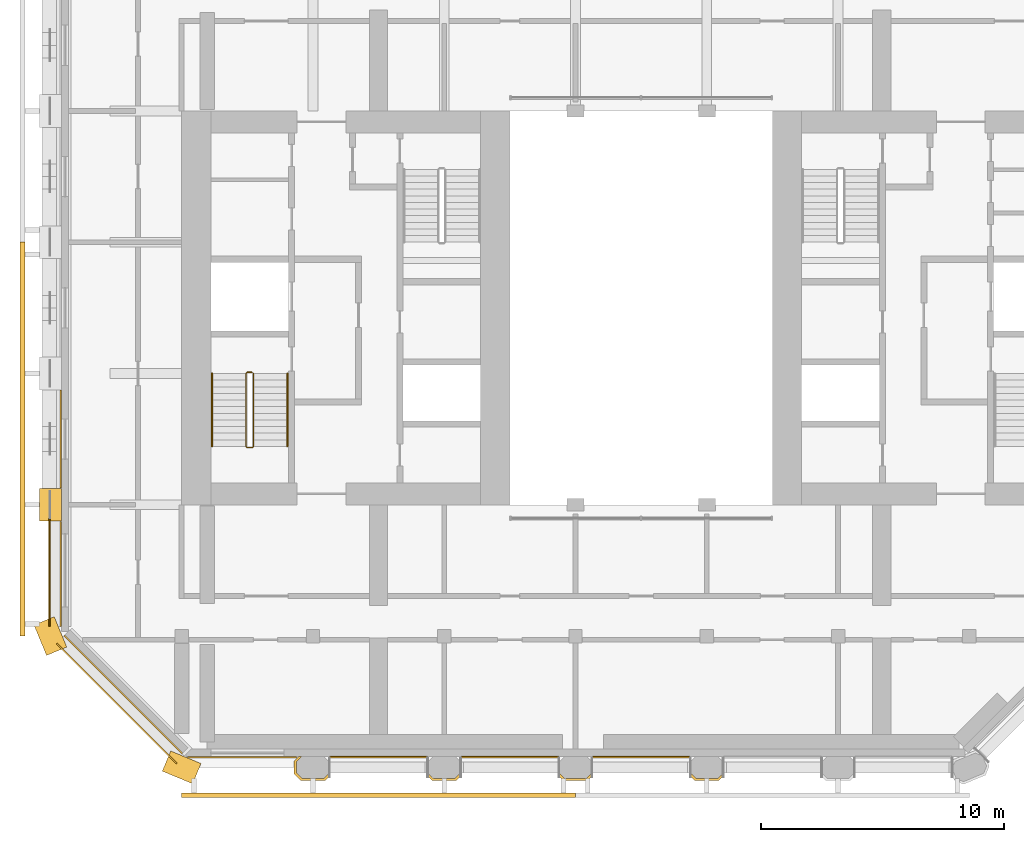
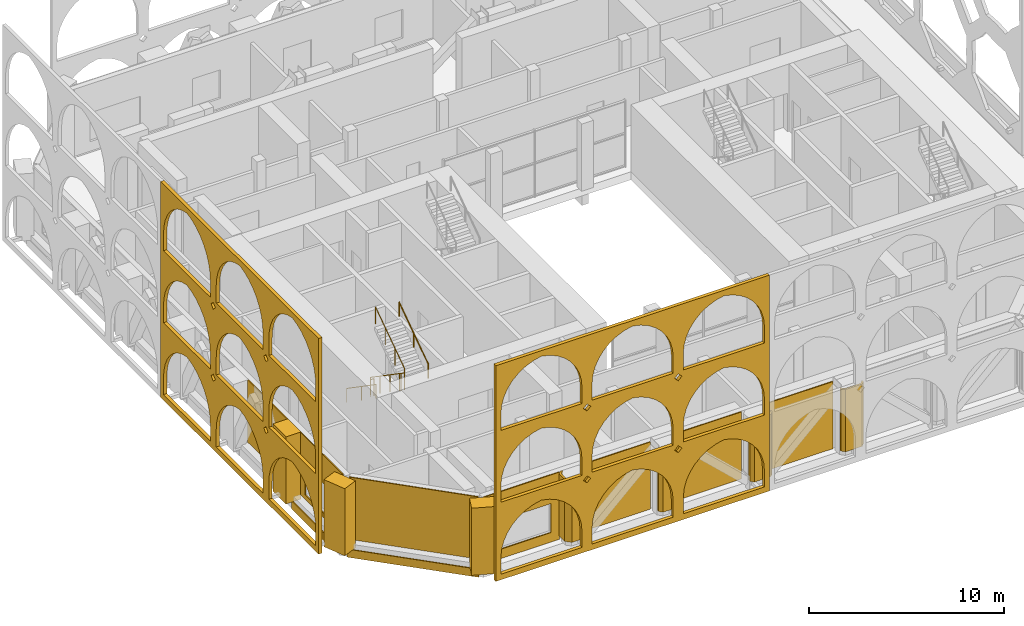
# One storey, part 13 of 16: 18 coverings, 3 railings.
"""IFC4 building model written with IfcOpenShell, lengths in metres."""

from ifc_helpers import new_model, si_unit, direction, frame, frame_2d, origin, origin_2d, place, context, subcontext, project, spatial, polyline, rectangle, circle, outline, extrude, material, layer, layer_set, type_object, element, save


model = new_model("IFC4")

# Units and contexts
model_context = context("Model", 3, precision=1e-05, world=origin(), true_north=direction((0.0, 1.0)))
body_context = subcontext(model_context, "Body", "Model", "MODEL_VIEW")
ifc_project = project(units=[si_unit("LENGTHUNIT", "METRE"), si_unit("AREAUNIT", "SQUARE_METRE"), si_unit("VOLUMEUNIT", "CUBIC_METRE"), si_unit("PLANEANGLEUNIT", "RADIAN"), si_unit("MASSUNIT", "GRAM", prefix="KILO")], contexts=[model_context])

# Site, building, storey
site_placement = place(None, origin())
site = spatial("IfcSite", under=ifc_project, at=site_placement, CompositionType="ELEMENT")
building_placement = place(site_placement, origin())
building = spatial("IfcBuilding", under=site, at=building_placement, Name="Tabaq Tower and Sports Hall", CompositionType="ELEMENT")
storey_placement = place(building_placement, frame((0.0, 0.0, 308.199951171875)))
storey = spatial("IfcBuildingStorey", under=building, at=storey_placement, Name="L77", CompositionType="ELEMENT", Elevation=308.199951171875)

# Coverings
ifc_material_1 = material(Name="Precast concrete C60/75", Category="concrete")
ifc_layer_1 = layer(ifc_material_1, 0.10009765625)
ifc_layer_set_1 = layer_set([ifc_layer_1], Name="Column cladding 100")
covering_type_1 = type_object("IfcCoveringType", Name="Column cladding 100", PredefinedType="CLADDING", material=ifc_layer_set_1)
covering_1_placement = place(storey_placement, frame((0.0, 0.0, 0.300048828125)))
element("IfcCovering", 1, at=covering_1_placement, inside=storey, type_object=covering_type_1, Name="Column cladding L77 PC-3B-CR", PredefinedType="CLADDING", context=body_context, shape_type="SweptSolid", body=[
    extrude(outline(polyline([(10.025390625, 5.666259765625), (10.208740234375, 5.849609375), (10.349365234375, 5.849609375), (10.124755859375, 5.625244140625), (10.124755859375, 5.1748046875), (10.349853515625, 4.94970703125), (11.250244140625, 4.94970703125), (11.459716796875, 5.1591796875), (11.459716796875, 5.018798828125), (11.291259765625, 4.850341796875), (10.30859375, 4.850341796875), (10.025390625, 5.1337890625), (10.025390625, 5.666259765625)])), origin(), (0.0, 0.0, 1.0), 3.89990234375),
])
covering_2_placement = place(storey_placement, frame((0.0, 0.0, 0.300048828125)))
element("IfcCovering", 2, at=covering_2_placement, inside=storey, type_object=covering_type_1, Name="Column cladding L77 PC-4B-CR", PredefinedType="CLADDING", context=body_context, shape_type="SweptSolid", body=[
    extrude(outline(polyline([(16.69140625, 4.850341796875), (15.708740234375, 4.850341796875), (15.540283203125, 5.018798828125), (15.540283203125, 5.1591796875), (15.749755859375, 4.94970703125), (16.650146484375, 4.94970703125), (16.859619140625, 5.1591796875), (16.859619140625, 5.018798828125), (16.69140625, 4.850341796875)])), origin(), (0.0, 0.0, 1.0), 3.89990234375),
])
covering_3_placement = place(storey_placement, frame((0.0, 0.0, 0.300048828125)))
element("IfcCovering", 3, at=covering_3_placement, inside=storey, type_object=covering_type_1, Name="Column cladding L77 PC-5B-CR", PredefinedType="CLADDING", context=body_context, shape_type="SweptSolid", body=[
    extrude(outline(polyline([(22.09130859375, 4.850341796875), (21.108642578125, 4.850341796875), (20.940185546875, 5.018798828125), (20.940185546875, 5.1591796875), (21.14990234375, 4.94970703125), (22.050048828125, 4.94970703125), (22.259765625, 5.1591796875), (22.259765625, 5.018798828125), (22.09130859375, 4.850341796875)])), origin(), (0.0, 0.0, 1.0), 3.89990234375),
])
covering_4_placement = place(storey_placement, frame((0.0, 0.0, 0.300048828125)))
element("IfcCovering", 4, at=covering_4_placement, inside=storey, type_object=covering_type_1, Name="Column cladding L77 PC-6B-CR", PredefinedType="CLADDING", context=body_context, shape_type="SweptSolid", body=[
    extrude(outline(polyline([(27.4912109375, 4.850341796875), (26.5087890625, 4.850341796875), (26.34033203125, 5.018798828125), (26.34033203125, 5.1591796875), (26.5498046875, 4.94970703125), (27.4501953125, 4.94970703125), (27.65966796875, 5.1591796875), (27.65966796875, 5.018798828125), (27.4912109375, 4.850341796875)])), origin(), (0.0, 0.0, 1.0), 3.89990234375),
])
ifc_material_2 = material(Name="Precast concrete C60/75", Category="concrete")
ifc_layer_2 = layer(ifc_material_2, 0.06005859375)
ifc_layer_set_2 = layer_set([ifc_layer_2], Name="Edge beam cladding 60")
covering_type_2 = type_object("IfcCoveringType", Name="Edge beam cladding 60", PredefinedType="CLADDING", material=ifc_layer_set_2)
covering_5_placement = place(storey_placement, frame((0.26318359375, 10.494384765625, -0.5), z_axis=(0.0, 0.0, 1.0), x_axis=(0.707106781187, -0.707106781187, 0.0)))
element("IfcCovering", 5, at=covering_5_placement, inside=storey, type_object=covering_type_2, Name="Edge beam cladding L77 5", PredefinedType="CLADDING", context=body_context, shape_type="SweptSolid", body=[
    extrude(rectangle(XDim=6.984375, YDim=0.06005859375, at=frame_2d((3.4921875, 0.0))), origin(), (0.0, 0.0, 1.0), 0.5),
])
covering_6_placement = place(storey_placement, frame((-0.030029296875, 15.639892578125, -0.5), z_axis=(0.0, 0.0, 1.0), x_axis=(0.0, -1.0, 0.0)))
element("IfcCovering", 6, at=covering_6_placement, inside=storey, type_object=covering_type_2, Name="Edge beam cladding L77 4 2", PredefinedType="CLADDING", context=body_context, shape_type="SweptSolid", body=[
    extrude(rectangle(XDim=4.437744140625, YDim=0.06005859375, at=frame_2d((2.21875, 0.0))), origin(), (0.0, 0.0, 1.0), 0.5),
])
ifc_material_3 = material(Name="White precast concrete C60/75", Category="concrete")
covering_type_3 = type_object("IfcCoveringType", Name="Pier cladding hung 1350x900", PredefinedType="CLADDING", material=ifc_material_3)
for number, where, z_axis, x_axis, name in (
    (7, (-0.25830078125, 11.423583984375, 0.0), (0.0, 0.0, 1.0), (0.382649923473, -0.923893411637, 0.0), "Hung pier cladding 0/2"),
    (8, (0.0, 16.875, 0.0), (0.0, 0.0, 1.0), (0.0, -1.0, 0.0), "Hung pier cladding 0/3"),
    (9, (4.7763671875, 5.658203125, 0.0), (0.0, 0.0, 1.0), (0.923893411637, -0.382649923473, 0.0), "Hung pier cladding 1/1"),
):
    element("IfcCovering", number, at=place(storey_placement, frame(where, z_axis=z_axis, x_axis=x_axis)), inside=storey, type_object=covering_type_3, Name=name, PredefinedType="CLADDING", context=body_context, shape_type="SweptSolid", body=[
        extrude(rectangle(XDim=1.35009765625, YDim=0.89990234375, at=frame_2d((0.675048828125, 0.0))), origin(), (0.0, 0.0, 1.0), 4.199951171875),
    ])

# Railings
ifc_material_4 = material(Name="Stainless steel", Category="steel")
railing_type_1 = type_object("IfcRailingType", Name="Stair guard", PredefinedType="GUARDRAIL", material=ifc_material_4)
railing_1_placement = place(storey_placement, frame((8.300048828125, 21.64990234375, 0.0)))
element("IfcRailing", 10, at=railing_1_placement, inside=storey, type_object=railing_type_1, Name="L77 ST1 stair guard 1", PredefinedType="GUARDRAIL", context=body_context, shape_type="SweptSolid", body=[
    extrude(circle(Radius=0.02392578125, at=origin_2d()), frame((0.0, 0.0, 1.076171875), z_axis=(-1.0, 0.0, 0.0), x_axis=(0.0, -1.0, 0.0)), (0.0, 0.0, 1.0), 0.199951171875),
    extrude(circle(Radius=0.02392578125, at=origin_2d()), frame((-0.199951171875, 0.0, 1.076171875), z_axis=(-0.249802250048, -0.248583702486, 0.935844527007), x_axis=(0.705375805398, -0.708833529934, 0.0)), (0.0, 0.0, 1.0), 0.200439453125),
    extrude(circle(Radius=0.02392578125, at=origin_2d()), frame((-0.25, -0.0498046875, 1.263671875), z_axis=(0.0, -0.824041924199, 0.566528822887), x_axis=(1.0, 0.0, 0.0)), (0.0, 0.0, 1.0), 3.640625),
    extrude(circle(Radius=0.02392578125, at=origin_2d()), frame((-0.25, -3.0498046875, 3.326171875), z_axis=(0.707106781187, -0.707106781187, 0.0), x_axis=(0.707106781187, 0.707106781187, 0.0)), (0.0, 0.0, 1.0), 0.07080078125),
    extrude(circle(Radius=0.02392578125, at=origin_2d()), frame((-0.199951171875, -3.099853515625, 3.326171875), z_axis=(1.0, 0.0, 0.0), x_axis=(0.0, 1.0, 0.0)), (0.0, 0.0, 1.0), 0.199951171875),
    extrude(circle(Radius=0.02392578125, at=origin_2d()), frame((0.0, -3.099853515625, 3.326171875), z_axis=(0.249726431254, 0.249726431254, 0.935560483917), x_axis=(-0.707106781187, 0.707106781187, 0.0)), (0.0, 0.0, 1.0), 0.200439453125),
    extrude(circle(Radius=0.02392578125, at=origin_2d()), frame((0.050048828125, -3.0498046875, 3.513671875), z_axis=(0.0, 0.824041924199, 0.566528822887), x_axis=(-1.0, 0.0, 0.0)), (0.0, 0.0, 1.0), 3.640625),
    extrude(circle(Radius=0.02099609375, at=origin_2d()), origin(), (0.0, 0.0, 1.0), 1.052001953125),
    extrude(circle(Radius=0.02099609375, at=origin_2d()), frame((-0.199951171875, 0.0, 0.0)), (0.0, 0.0, 1.0), 1.052001953125),
    extrude(circle(Radius=0.02099609375, at=origin_2d()), frame((-0.25, -0.0498046875, 0.1875)), (0.0, 0.0, 1.0), 1.052001953125),
    extrude(circle(Radius=0.02099609375, at=origin_2d()), frame((-0.25, -1.0498046875, 0.875)), (0.0, 0.0, 1.0), 1.052001953125),
    extrude(circle(Radius=0.02099609375, at=origin_2d()), frame((-0.25, -2.0498046875, 1.5625)), (0.0, 0.0, 1.0), 1.052001953125),
    extrude(circle(Radius=0.02099609375, at=origin_2d()), frame((-0.25, -3.0498046875, 2.25)), (0.0, 0.0, 1.0), 1.052001953125),
    extrude(circle(Radius=0.02099609375, at=origin_2d()), frame((-0.199951171875, -3.099853515625, 2.25)), (0.0, 0.0, 1.0), 1.052001953125),
    extrude(circle(Radius=0.02099609375, at=origin_2d()), frame((0.0, -3.099853515625, 2.25)), (0.0, 0.0, 1.0), 1.052001953125),
    extrude(circle(Radius=0.02099609375, at=origin_2d()), frame((0.050048828125, -3.0498046875, 2.4375)), (0.0, 0.0, 1.0), 1.052001953125),
    extrude(circle(Radius=0.02099609375, at=origin_2d()), frame((0.050048828125, -2.0498046875, 3.125)), (0.0, 0.0, 1.0), 1.052001953125),
    extrude(circle(Radius=0.02099609375, at=origin_2d()), frame((0.050048828125, -1.0498046875, 3.8125)), (0.0, 0.0, 1.0), 1.052001953125),
    extrude(circle(Radius=0.02099609375, at=origin_2d()), frame((0.050048828125, -0.0498046875, 4.5)), (0.0, 0.0, 1.0), 1.052001953125),
])
ifc_material_5 = material(Name="Stainless steel", Category="steel")
railing_type_2 = type_object("IfcRailingType", Name="Stair handrail", PredefinedType="HANDRAIL", material=ifc_material_5)
railing_2_placement = place(storey_placement, frame((6.64990234375, 21.60009765625, 0.1875)))
element("IfcRailing", 11, at=railing_2_placement, inside=storey, type_object=railing_type_2, Name="L77 ST1 stair handrail 1", PredefinedType="HANDRAIL", context=body_context, shape_type="SweptSolid", body=[
    extrude(circle(Radius=0.02392578125, at=origin_2d()), frame((0.0, 0.0, 0.8759765625), z_axis=(0.0, -0.824041924199, 0.566528822887), x_axis=(1.0, 0.0, 0.0)), (0.0, 0.0, 1.0), 3.640625),
    extrude(circle(Radius=0.02099609375, at=origin_2d()), origin(), (0.0, 0.0, 1.0), 0.851806640625),
    extrude(circle(Radius=0.02099609375, at=origin_2d()), frame((0.0, -1.5, 1.03125)), (0.0, 0.0, 1.0), 0.851806640625),
    extrude(circle(Radius=0.02099609375, at=origin_2d()), frame((0.0, -3.0, 2.0625)), (0.0, 0.0, 1.0), 0.851806640625),
])
railing_3_placement = place(storey_placement, frame((9.75, 18.60009765625, 2.4375)))
element("IfcRailing", 12, at=railing_3_placement, inside=storey, type_object=railing_type_2, Name="L77 ST1 stair handrail 2", PredefinedType="HANDRAIL", context=body_context, shape_type="SweptSolid", body=[
    extrude(circle(Radius=0.02392578125, at=origin_2d()), frame((0.0, 0.0, 0.8759765625), z_axis=(0.0, 0.824041924199, 0.566528822887), x_axis=(-1.0, 0.0, 0.0)), (0.0, 0.0, 1.0), 3.640625),
    extrude(circle(Radius=0.02099609375, at=origin_2d()), origin(), (0.0, 0.0, 1.0), 0.851806640625),
    extrude(circle(Radius=0.02099609375, at=origin_2d()), frame((0.0, 1.5, 1.03125)), (0.0, 0.0, 1.0), 0.851806640625),
    extrude(circle(Radius=0.02099609375, at=origin_2d()), frame((0.0, 3.0, 2.0625)), (0.0, 0.0, 1.0), 0.851806640625),
])

# Coverings
ifc_material_6 = material(Name="White precast concrete C60/75 pierced screen", Category="concrete")
ifc_layer_3 = layer(ifc_material_6, 0.199951171875)
ifc_layer_set_3 = layer_set([ifc_layer_3], Name="TRACERY SCREEN 200 C60/75")
covering_type_4 = type_object("IfcCoveringType", Name="TRACERY SCREEN 200 C60/75", PredefinedType="CLADDING", material=ifc_layer_set_3)
covering_7_placement = place(storey_placement, frame((5.39990234375, 4.25, 0.0), z_axis=(0.0, 0.0, 1.0), x_axis=(1.0, 0.0, 0.0)))
element("IfcCovering", 13, at=covering_7_placement, inside=storey, type_object=covering_type_4, Name="Tracery screen CR S L77-L79", PredefinedType="CLADDING", context=body_context, shape_type="SweptSolid", body=[
    extrude(outline(polyline([(0.0, 0.0), (16.2001953125, 0.0), (16.2001953125, 13.5), (0.0, 13.5), (0.0, 0.0)]), holes=[polyline([(0.300048828125, 0.35009765625), (5.10009765625, 0.35009765625), (5.10009765625, 1.39013671875), (5.055419921875, 1.885986328125), (4.92333984375, 2.3662109375), (4.7080078125, 2.815185546875), (4.416015625, 3.21875), (4.05712890625, 3.56396484375), (3.642333984375, 3.839599609375), (3.18505859375, 4.037109375), (2.699951171875, 4.150146484375), (2.21484375, 4.037109375), (1.7578125, 3.839599609375), (1.343017578125, 3.56396484375), (0.98388671875, 3.21875), (0.69189453125, 2.815185546875), (0.4765625, 2.3662109375), (0.344482421875, 1.885986328125), (0.300048828125, 1.39013671875), (0.300048828125, 0.35009765625)]), polyline([(5.699951171875, 0.35009765625), (10.5, 0.35009765625), (10.5, 1.39013671875), (10.45556640625, 1.885986328125), (10.323486328125, 2.3662109375), (10.10791015625, 2.815185546875), (9.816162109375, 3.21875), (9.45703125, 3.56396484375), (9.042236328125, 3.839599609375), (8.5849609375, 4.037109375), (8.10009765625, 4.150146484375), (7.614990234375, 4.037109375), (7.15771484375, 3.839599609375), (6.742919921875, 3.56396484375), (6.384033203125, 3.21875), (6.092041015625, 2.815185546875), (5.87646484375, 2.3662109375), (5.744384765625, 1.885986328125), (5.699951171875, 1.39013671875), (5.699951171875, 0.35009765625)]), polyline([(11.10009765625, 0.35009765625), (15.89990234375, 0.35009765625), (15.89990234375, 1.39013671875), (15.85546875, 1.885986328125), (15.723388671875, 2.3662109375), (15.508056640625, 2.815185546875), (15.216064453125, 3.21875), (14.85693359375, 3.56396484375), (14.442138671875, 3.839599609375), (13.985107421875, 4.037109375), (13.5, 4.150146484375), (13.014892578125, 4.037109375), (12.557861328125, 3.839599609375), (12.14306640625, 3.56396484375), (11.783935546875, 3.21875), (11.491943359375, 2.815185546875), (11.276611328125, 2.3662109375), (11.14453125, 1.885986328125), (11.10009765625, 1.39013671875), (11.10009765625, 0.35009765625)]), polyline([(0.300048828125, 4.85009765625), (5.10009765625, 4.85009765625), (5.10009765625, 5.89013671875), (5.055419921875, 6.385986328125), (4.92333984375, 6.8662109375), (4.7080078125, 7.315185546875), (4.416015625, 7.71875), (4.05712890625, 8.06396484375), (3.642333984375, 8.339599609375), (3.18505859375, 8.537109375), (2.699951171875, 8.650146484375), (2.21484375, 8.537109375), (1.7578125, 8.339599609375), (1.343017578125, 8.06396484375), (0.98388671875, 7.71875), (0.69189453125, 7.315185546875), (0.4765625, 6.8662109375), (0.344482421875, 6.385986328125), (0.300048828125, 5.89013671875), (0.300048828125, 4.85009765625)]), polyline([(5.699951171875, 4.85009765625), (10.5, 4.85009765625), (10.5, 5.89013671875), (10.45556640625, 6.385986328125), (10.323486328125, 6.8662109375), (10.10791015625, 7.315185546875), (9.816162109375, 7.71875), (9.45703125, 8.06396484375), (9.042236328125, 8.339599609375), (8.5849609375, 8.537109375), (8.10009765625, 8.650146484375), (7.614990234375, 8.537109375), (7.15771484375, 8.339599609375), (6.742919921875, 8.06396484375), (6.384033203125, 7.71875), (6.092041015625, 7.315185546875), (5.87646484375, 6.8662109375), (5.744384765625, 6.385986328125), (5.699951171875, 5.89013671875), (5.699951171875, 4.85009765625)]), polyline([(11.10009765625, 4.85009765625), (15.89990234375, 4.85009765625), (15.89990234375, 5.89013671875), (15.85546875, 6.385986328125), (15.723388671875, 6.8662109375), (15.508056640625, 7.315185546875), (15.216064453125, 7.71875), (14.85693359375, 8.06396484375), (14.442138671875, 8.339599609375), (13.985107421875, 8.537109375), (13.5, 8.650146484375), (13.014892578125, 8.537109375), (12.557861328125, 8.339599609375), (12.14306640625, 8.06396484375), (11.783935546875, 7.71875), (11.491943359375, 7.315185546875), (11.276611328125, 6.8662109375), (11.14453125, 6.385986328125), (11.10009765625, 5.89013671875), (11.10009765625, 4.85009765625)]), polyline([(0.300048828125, 9.35009765625), (5.10009765625, 9.35009765625), (5.10009765625, 10.39013671875), (5.055419921875, 10.885986328125), (4.92333984375, 11.3662109375), (4.7080078125, 11.815185546875), (4.416015625, 12.21875), (4.05712890625, 12.56396484375), (3.642333984375, 12.839599609375), (3.18505859375, 13.037109375), (2.699951171875, 13.150146484375), (2.21484375, 13.037109375), (1.7578125, 12.839599609375), (1.343017578125, 12.56396484375), (0.98388671875, 12.21875), (0.69189453125, 11.815185546875), (0.4765625, 11.3662109375), (0.344482421875, 10.885986328125), (0.300048828125, 10.39013671875), (0.300048828125, 9.35009765625)]), polyline([(5.699951171875, 9.35009765625), (10.5, 9.35009765625), (10.5, 10.39013671875), (10.45556640625, 10.885986328125), (10.323486328125, 11.3662109375), (10.10791015625, 11.815185546875), (9.816162109375, 12.21875), (9.45703125, 12.56396484375), (9.042236328125, 12.839599609375), (8.5849609375, 13.037109375), (8.10009765625, 13.150146484375), (7.614990234375, 13.037109375), (7.15771484375, 12.839599609375), (6.742919921875, 12.56396484375), (6.384033203125, 12.21875), (6.092041015625, 11.815185546875), (5.87646484375, 11.3662109375), (5.744384765625, 10.885986328125), (5.699951171875, 10.39013671875), (5.699951171875, 9.35009765625)]), polyline([(11.10009765625, 9.35009765625), (15.89990234375, 9.35009765625), (15.89990234375, 10.39013671875), (15.85546875, 10.885986328125), (15.723388671875, 11.3662109375), (15.508056640625, 11.815185546875), (15.216064453125, 12.21875), (14.85693359375, 12.56396484375), (14.442138671875, 12.839599609375), (13.985107421875, 13.037109375), (13.5, 13.150146484375), (13.014892578125, 13.037109375), (12.557861328125, 12.839599609375), (12.14306640625, 12.56396484375), (11.783935546875, 12.21875), (11.491943359375, 11.815185546875), (11.276611328125, 11.3662109375), (11.14453125, 10.885986328125), (11.10009765625, 10.39013671875), (11.10009765625, 9.35009765625)]), polyline([(5.6201171875, 4.5), (5.39990234375, 4.719970703125), (5.179931640625, 4.5), (5.39990234375, 4.280029296875), (5.6201171875, 4.5)]), polyline([(11.02001953125, 4.5), (10.800048828125, 4.719970703125), (10.580078125, 4.5), (10.800048828125, 4.280029296875), (11.02001953125, 4.5)]), polyline([(5.6201171875, 9.0), (5.39990234375, 9.219970703125), (5.179931640625, 9.0), (5.39990234375, 8.780029296875), (5.6201171875, 9.0)]), polyline([(11.02001953125, 9.0), (10.800048828125, 9.219970703125), (10.580078125, 9.0), (10.800048828125, 8.780029296875), (11.02001953125, 9.0)])]), frame((0.0, 0.10009765625, 0.0), z_axis=(0.0, -1.0, 0.0), x_axis=(1.0, 0.0, 0.0)), (0.0, 0.0, 1.0), 0.199951171875),
])
covering_8_placement = place(storey_placement, frame((-1.14990234375, 27.0, 0.0), z_axis=(0.0, 0.0, 1.0), x_axis=(0.0, -1.0, 0.0)))
element("IfcCovering", 14, at=covering_8_placement, inside=storey, type_object=covering_type_4, Name="Tracery screen CR W L77-L79", PredefinedType="CLADDING", context=body_context, shape_type="SweptSolid", body=[
    extrude(outline(polyline([(0.0, 0.0), (16.199951171875, 0.0), (16.199951171875, 13.5), (0.0, 13.5), (0.0, 0.0)]), holes=[polyline([(0.300048828125, 0.35009765625), (5.10009765625, 0.35009765625), (5.10009765625, 1.39013671875), (5.055419921875, 1.885986328125), (4.92333984375, 2.3662109375), (4.7080078125, 2.815185546875), (4.416015625, 3.21875), (4.05712890625, 3.56396484375), (3.642333984375, 3.839599609375), (3.18505859375, 4.037109375), (2.699951171875, 4.150146484375), (2.21484375, 4.037109375), (1.7578125, 3.839599609375), (1.343017578125, 3.56396484375), (0.98388671875, 3.21875), (0.69189453125, 2.815185546875), (0.4765625, 2.3662109375), (0.344482421875, 1.885986328125), (0.300048828125, 1.39013671875), (0.300048828125, 0.35009765625)]), polyline([(5.699951171875, 0.35009765625), (10.5, 0.35009765625), (10.5, 1.39013671875), (10.45556640625, 1.885986328125), (10.323486328125, 2.3662109375), (10.10791015625, 2.815185546875), (9.816162109375, 3.21875), (9.45703125, 3.56396484375), (9.042236328125, 3.839599609375), (8.5849609375, 4.037109375), (8.10009765625, 4.150146484375), (7.614990234375, 4.037109375), (7.15771484375, 3.839599609375), (6.742919921875, 3.56396484375), (6.384033203125, 3.21875), (6.092041015625, 2.815185546875), (5.87646484375, 2.3662109375), (5.744384765625, 1.885986328125), (5.699951171875, 1.39013671875), (5.699951171875, 0.35009765625)]), polyline([(11.10009765625, 0.35009765625), (15.89990234375, 0.35009765625), (15.89990234375, 1.39013671875), (15.85546875, 1.885986328125), (15.723388671875, 2.3662109375), (15.508056640625, 2.815185546875), (15.216064453125, 3.21875), (14.85693359375, 3.56396484375), (14.442138671875, 3.839599609375), (13.985107421875, 4.037109375), (13.5, 4.150146484375), (13.014892578125, 4.037109375), (12.557861328125, 3.839599609375), (12.14306640625, 3.56396484375), (11.783935546875, 3.21875), (11.491943359375, 2.815185546875), (11.276611328125, 2.3662109375), (11.14453125, 1.885986328125), (11.10009765625, 1.39013671875), (11.10009765625, 0.35009765625)]), polyline([(0.300048828125, 4.85009765625), (5.10009765625, 4.85009765625), (5.10009765625, 5.89013671875), (5.055419921875, 6.385986328125), (4.92333984375, 6.8662109375), (4.7080078125, 7.315185546875), (4.416015625, 7.71875), (4.05712890625, 8.06396484375), (3.642333984375, 8.339599609375), (3.18505859375, 8.537109375), (2.699951171875, 8.650146484375), (2.21484375, 8.537109375), (1.7578125, 8.339599609375), (1.343017578125, 8.06396484375), (0.98388671875, 7.71875), (0.69189453125, 7.315185546875), (0.4765625, 6.8662109375), (0.344482421875, 6.385986328125), (0.300048828125, 5.89013671875), (0.300048828125, 4.85009765625)]), polyline([(5.699951171875, 4.85009765625), (10.5, 4.85009765625), (10.5, 5.89013671875), (10.45556640625, 6.385986328125), (10.323486328125, 6.8662109375), (10.10791015625, 7.315185546875), (9.816162109375, 7.71875), (9.45703125, 8.06396484375), (9.042236328125, 8.339599609375), (8.5849609375, 8.537109375), (8.10009765625, 8.650146484375), (7.614990234375, 8.537109375), (7.15771484375, 8.339599609375), (6.742919921875, 8.06396484375), (6.384033203125, 7.71875), (6.092041015625, 7.315185546875), (5.87646484375, 6.8662109375), (5.744384765625, 6.385986328125), (5.699951171875, 5.89013671875), (5.699951171875, 4.85009765625)]), polyline([(11.10009765625, 4.85009765625), (15.89990234375, 4.85009765625), (15.89990234375, 5.89013671875), (15.85546875, 6.385986328125), (15.723388671875, 6.8662109375), (15.508056640625, 7.315185546875), (15.216064453125, 7.71875), (14.85693359375, 8.06396484375), (14.442138671875, 8.339599609375), (13.985107421875, 8.537109375), (13.5, 8.650146484375), (13.014892578125, 8.537109375), (12.557861328125, 8.339599609375), (12.14306640625, 8.06396484375), (11.783935546875, 7.71875), (11.491943359375, 7.315185546875), (11.276611328125, 6.8662109375), (11.14453125, 6.385986328125), (11.10009765625, 5.89013671875), (11.10009765625, 4.85009765625)]), polyline([(0.300048828125, 9.35009765625), (5.10009765625, 9.35009765625), (5.10009765625, 10.39013671875), (5.055419921875, 10.885986328125), (4.92333984375, 11.3662109375), (4.7080078125, 11.815185546875), (4.416015625, 12.21875), (4.05712890625, 12.56396484375), (3.642333984375, 12.839599609375), (3.18505859375, 13.037109375), (2.699951171875, 13.150146484375), (2.21484375, 13.037109375), (1.7578125, 12.839599609375), (1.343017578125, 12.56396484375), (0.98388671875, 12.21875), (0.69189453125, 11.815185546875), (0.4765625, 11.3662109375), (0.344482421875, 10.885986328125), (0.300048828125, 10.39013671875), (0.300048828125, 9.35009765625)]), polyline([(5.699951171875, 9.35009765625), (10.5, 9.35009765625), (10.5, 10.39013671875), (10.45556640625, 10.885986328125), (10.323486328125, 11.3662109375), (10.10791015625, 11.815185546875), (9.816162109375, 12.21875), (9.45703125, 12.56396484375), (9.042236328125, 12.839599609375), (8.5849609375, 13.037109375), (8.10009765625, 13.150146484375), (7.614990234375, 13.037109375), (7.15771484375, 12.839599609375), (6.742919921875, 12.56396484375), (6.384033203125, 12.21875), (6.092041015625, 11.815185546875), (5.87646484375, 11.3662109375), (5.744384765625, 10.885986328125), (5.699951171875, 10.39013671875), (5.699951171875, 9.35009765625)]), polyline([(11.10009765625, 9.35009765625), (15.89990234375, 9.35009765625), (15.89990234375, 10.39013671875), (15.85546875, 10.885986328125), (15.723388671875, 11.3662109375), (15.508056640625, 11.815185546875), (15.216064453125, 12.21875), (14.85693359375, 12.56396484375), (14.442138671875, 12.839599609375), (13.985107421875, 13.037109375), (13.5, 13.150146484375), (13.014892578125, 13.037109375), (12.557861328125, 12.839599609375), (12.14306640625, 12.56396484375), (11.783935546875, 12.21875), (11.491943359375, 11.815185546875), (11.276611328125, 11.3662109375), (11.14453125, 10.885986328125), (11.10009765625, 10.39013671875), (11.10009765625, 9.35009765625)]), polyline([(5.6201171875, 4.5), (5.39990234375, 4.719970703125), (5.179931640625, 4.5), (5.39990234375, 4.280029296875), (5.6201171875, 4.5)]), polyline([(11.02001953125, 4.5), (10.800048828125, 4.719970703125), (10.580078125, 4.5), (10.800048828125, 4.280029296875), (11.02001953125, 4.5)]), polyline([(5.6201171875, 9.0), (5.39990234375, 9.219970703125), (5.179931640625, 9.0), (5.39990234375, 8.780029296875), (5.6201171875, 9.0)]), polyline([(11.02001953125, 9.0), (10.800048828125, 9.219970703125), (10.580078125, 9.0), (10.800048828125, 8.780029296875), (11.02001953125, 9.0)])]), frame((0.0, 0.10009765625, 0.0), z_axis=(0.0, -1.0, 0.0), x_axis=(1.0, 0.0, 0.0)), (0.0, 0.0, 1.0), 0.199951171875),
])
ifc_material_7 = material(Name="Precast concrete C60/75", Category="concrete")
ifc_layer_4 = layer(ifc_material_7, 0.06005859375)
ifc_layer_set_4 = layer_set([ifc_layer_4], Name="White precast cladding panel 60 C60/75")
covering_type_5 = type_object("IfcCoveringType", Name="White precast cladding panel 60 C60/75", PredefinedType="CLADDING", material=ifc_layer_set_4)
covering_9_placement = place(storey_placement, frame((5.64306640625, 5.820068359375, 0.0), z_axis=(0.0, 0.0, 1.0), x_axis=(1.0, 0.0, 0.0)))
element("IfcCovering", 15, at=covering_9_placement, inside=storey, type_object=covering_type_5, Name="White precast cladding panel L77 wall00", PredefinedType="CLADDING", context=body_context, shape_type="SweptSolid", body=[
    extrude(outline(polyline([(0.0, 0.0), (4.471923828125, 0.0), (4.471923828125, 4.199951171875), (4.094970703125, 4.199951171875), (3.501708984375, 4.199951171875), (2.90869140625, 4.199951171875), (2.315673828125, 4.199951171875), (1.722412109375, 4.199951171875), (1.12939453125, 4.199951171875), (0.536376953125, 4.199951171875), (0.0, 4.199951171875), (0.0, 0.0)]), holes=[polyline([(0.94677734375, 0.590087890625), (0.94677734375, 2.41015625), (3.966796875, 2.41015625), (3.966796875, 0.590087890625), (0.94677734375, 0.590087890625)])]), frame((0.0, 0.030029296875, 0.0), z_axis=(0.0, -1.0, 0.0), x_axis=(1.0, 0.0, 0.0)), (0.0, 0.0, 1.0), 0.06005859375),
])
covering_10_placement = place(storey_placement, frame((11.5, 5.820068359375, 0.0), z_axis=(0.0, 0.0, 1.0), x_axis=(1.0, 0.0, 0.0)))
element("IfcCovering", 16, at=covering_10_placement, inside=storey, type_object=covering_type_5, Name="White precast cladding panel L77 wall00 2", PredefinedType="CLADDING", context=body_context, shape_type="SweptSolid", body=[
    extrude(outline(polyline([(0.0, 0.0), (4.0, 0.0), (4.0, 4.199951171875), (3.575927734375, 4.199951171875), (2.98291015625, 4.199951171875), (2.3896484375, 4.199951171875), (1.796630859375, 4.199951171875), (1.20361328125, 4.199951171875), (0.6103515625, 4.199951171875), (0.017333984375, 4.199951171875), (0.0, 4.199951171875), (0.0, 0.0)])), frame((0.0, 0.030029296875, 0.0), z_axis=(0.0, -1.0, 0.0), x_axis=(1.0, 0.0, 0.0)), (0.0, 0.0, 1.0), 0.06005859375),
])
covering_11_placement = place(storey_placement, frame((16.89990234375, 5.820068359375, 0.0), z_axis=(0.0, 0.0, 1.0), x_axis=(1.0, 0.0, 0.0)))
element("IfcCovering", 17, at=covering_11_placement, inside=storey, type_object=covering_type_5, Name="White precast cladding panel L77 wall00 3", PredefinedType="CLADDING", context=body_context, shape_type="SweptSolid", body=[
    extrude(outline(polyline([(0.0, 0.0), (4.0, 0.0), (4.0, 4.199951171875), (3.513916015625, 4.199951171875), (2.920654296875, 4.199951171875), (2.32763671875, 4.199951171875), (1.734619140625, 4.199951171875), (1.141357421875, 4.199951171875), (0.54833984375, 4.199951171875), (0.0, 4.199951171875), (0.0, 0.0)])), frame((0.0, 0.030029296875, 0.0), z_axis=(0.0, -1.0, 0.0), x_axis=(1.0, 0.0, 0.0)), (0.0, 0.0, 1.0), 0.06005859375),
])
covering_12_placement = place(storey_placement, frame((22.300048828125, 5.820068359375, 0.0), z_axis=(0.0, 0.0, 1.0), x_axis=(1.0, 0.0, 0.0)))
element("IfcCovering", 18, at=covering_12_placement, inside=storey, type_object=covering_type_5, Name="White precast cladding panel L77 wall00 4", PredefinedType="CLADDING", context=body_context, shape_type="SweptSolid", body=[
    extrude(outline(polyline([(0.0, 0.0), (4.0, 0.0), (4.0, 4.199951171875), (3.45166015625, 4.199951171875), (2.858642578125, 4.199951171875), (2.265380859375, 4.199951171875), (1.67236328125, 4.199951171875), (1.079345703125, 4.199951171875), (0.486083984375, 4.199951171875), (0.0, 4.199951171875), (0.0, 0.0)])), frame((0.0, 0.030029296875, 0.0), z_axis=(0.0, -1.0, 0.0), x_axis=(1.0, 0.0, 0.0)), (0.0, 0.0, 1.0), 0.06005859375),
])
covering_13_placement = place(storey_placement, frame((0.419921875, 20.9150390625, 0.31005859375), z_axis=(0.0, 0.0, 1.0), x_axis=(0.0, -1.0, 0.0)))
element("IfcCovering", 19, at=covering_13_placement, inside=storey, type_object=covering_type_5, Name="White precast cladding panel L77 wall06 5", PredefinedType="CLADDING", context=body_context, shape_type="SweptSolid", body=[
    extrude(outline(polyline([(0.0, 0.0), (4.030029296875, 0.0), (4.030029296875, 3.889892578125), (3.99755859375, 3.889892578125), (3.404541015625, 3.889892578125), (2.8115234375, 3.889892578125), (2.21826171875, 3.889892578125), (1.625244140625, 3.889892578125), (1.0322265625, 3.889892578125), (0.43896484375, 3.889892578125), (0.0, 3.889892578125), (0.0, 0.0)]), holes=[polyline([(1.179931640625, 0.280029296875), (1.179931640625, 2.10009765625), (2.85009765625, 2.10009765625), (2.85009765625, 0.280029296875), (1.179931640625, 0.280029296875)])]), frame((0.0, 0.030029296875, 0.0), z_axis=(0.0, -1.0, 0.0), x_axis=(1.0, 0.0, 0.0)), (0.0, 0.0, 1.0), 0.06005859375),
])
covering_14_placement = place(storey_placement, frame((0.419921875, 15.514892578125, 0.31005859375), z_axis=(0.0, 0.0, 1.0), x_axis=(0.0, -1.0, 0.0)))
element("IfcCovering", 20, at=covering_14_placement, inside=storey, type_object=covering_type_5, Name="White precast cladding panel L77 wall06 6", PredefinedType="CLADDING", context=body_context, shape_type="SweptSolid", body=[
    extrude(outline(polyline([(0.0, 0.0), (4.32275390625, 0.0), (4.322998046875, 3.889892578125), (3.935546875, 3.889892578125), (3.342529296875, 3.889892578125), (2.749267578125, 3.889892578125), (2.15625, 3.889892578125), (1.563232421875, 3.889892578125), (0.969970703125, 3.889892578125), (0.376953125, 3.889892578125), (0.0, 3.889892578125), (0.0, 0.0)]), holes=[polyline([(0.5048828125, 0.280029296875), (0.5048828125, 2.10009765625), (3.52490234375, 2.10009765625), (3.52490234375, 0.280029296875), (0.5048828125, 0.280029296875)])]), frame((0.0, 0.030029296875, 0.0), z_axis=(0.0, -1.0, 0.0), x_axis=(1.0, 0.0, 0.0)), (0.0, 0.0, 1.0), 0.06005859375),
])
covering_15_placement = place(storey_placement, frame((0.57421875, 10.81982421875, 0.31005859375), z_axis=(0.0, 0.0, 1.0), x_axis=(0.707106781187, -0.707106781187, 0.0)))
element("IfcCovering", 21, at=covering_15_placement, inside=storey, type_object=covering_type_5, Name="White precast cladding panel L77 wall07", PredefinedType="CLADDING", context=body_context, shape_type="SweptSolid", body=[
    extrude(outline(polyline([(0.0, 0.0), (6.856201171875, 0.0), (6.856201171875, 3.889892578125), (6.284423828125, 3.889892578125), (5.712890625, 3.889892578125), (5.14111328125, 3.889892578125), (4.569580078125, 3.889892578125), (3.998046875, 3.889892578125), (3.42626953125, 3.889892578125), (2.854736328125, 3.889892578125), (2.282958984375, 3.889892578125), (1.71142578125, 3.889892578125), (1.1396484375, 3.889892578125), (0.568115234375, 3.889892578125), (0.0, 3.889892578125), (0.0, 0.0)])), frame((0.0, 0.030029296875, 0.0), z_axis=(0.0, -1.0, 0.0), x_axis=(1.0, 0.0, 0.0)), (0.0, 0.0, 1.0), 0.06005859375),
])

save(model, "model.ifc")
